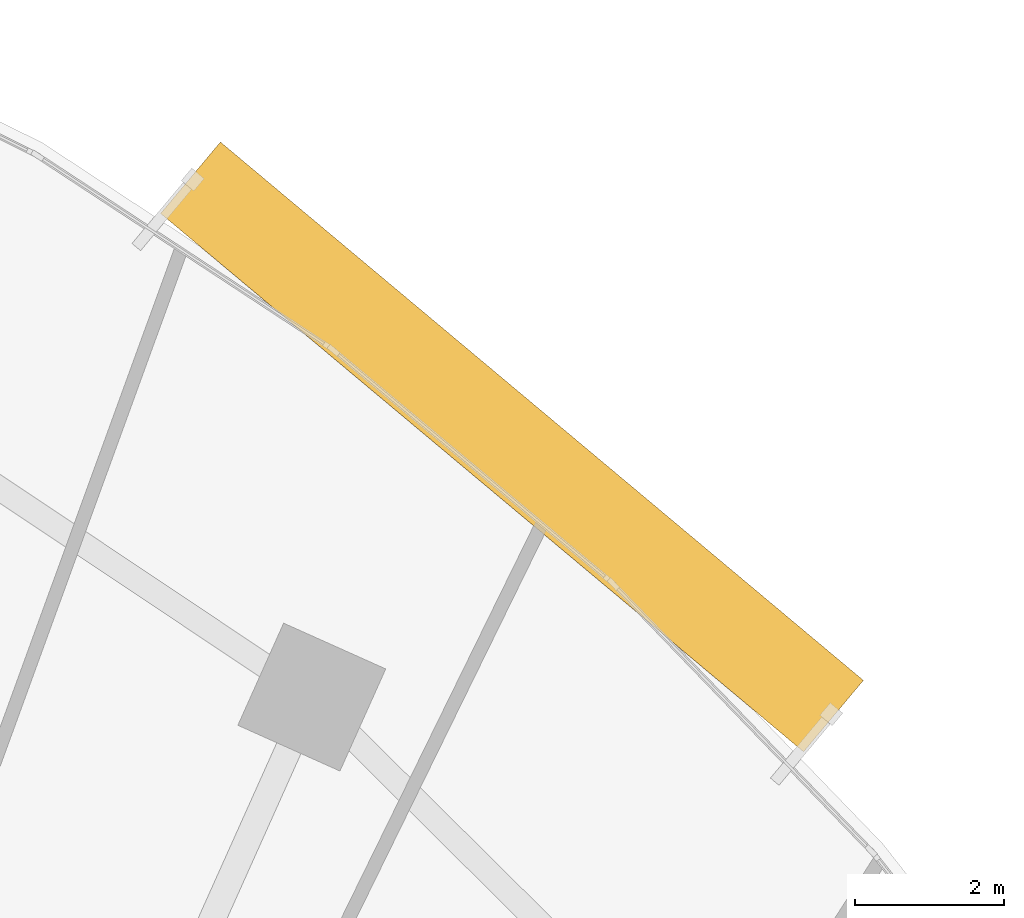
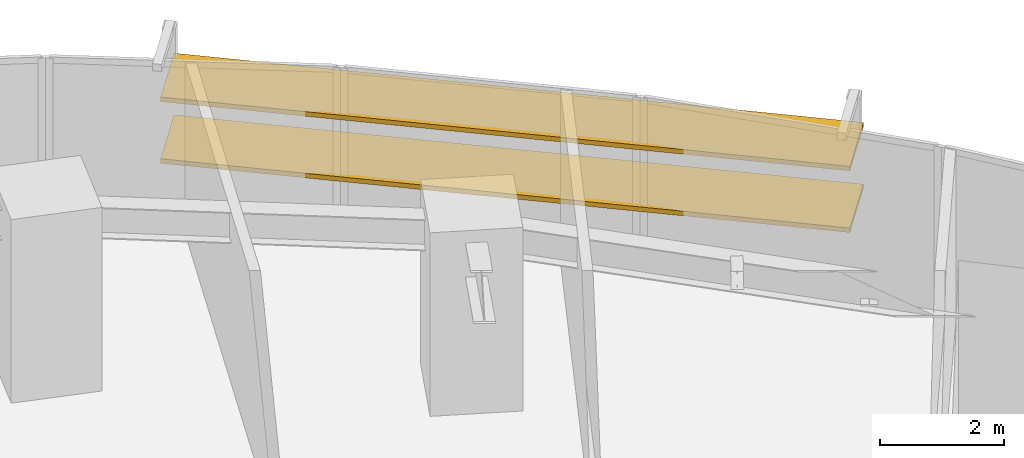
# One storey, part 17 of 17: 2 shading devices.
"""IFC4 building model written with IfcOpenShell, lengths in metres."""

from ifc_helpers import new_model, si_unit, direction, frame, origin, origin_2d, place, context, subcontext, project, spatial, rectangle, extrude, source, transform, mapped, material, material_profile, profile_set, type_object, element, save


model = new_model("IFC4")

# Units and contexts
model_context = context("Model", 3, precision=1e-05, world=origin(), true_north=direction((0.0, 1.0)))
body_context = subcontext(model_context, "Body", "Model", "MODEL_VIEW")
ifc_project = project(units=[si_unit("LENGTHUNIT", "METRE"), si_unit("AREAUNIT", "SQUARE_METRE"), si_unit("VOLUMEUNIT", "CUBIC_METRE"), si_unit("PLANEANGLEUNIT", "RADIAN"), si_unit("MASSUNIT", "GRAM", prefix="KILO")], contexts=[model_context])

# Site, building, storey
site_placement = place(None, origin())
site = spatial("IfcSite", under=ifc_project, at=site_placement, CompositionType="ELEMENT")
building_placement = place(site_placement, origin())
building = spatial("IfcBuilding", under=site, at=building_placement, Name="Breltana Convention Tower", CompositionType="ELEMENT")
storey_placement = place(building_placement, frame((0.0, 0.0, 64.199951171875)))
storey = spatial("IfcBuildingStorey", under=building, at=storey_placement, Name="L14", CompositionType="ELEMENT", Elevation=64.199951171875)

# Shading devices
ifc_material = material(Name="Limestone Warm Buff Honed", Category="masonry")
ifc_material_profile = material_profile(ifc_material, rectangle(XDim=1.25, YDim=0.090087890625, at=origin_2d()), Name="STN-LVR-1250X90")
ifc_profile_set = profile_set([ifc_material_profile], Name="Limestone Warm Buff Honed")
shading_device_type = type_object("IfcShadingDeviceType", Name="SHD-OUTER-SKIN-LIMESTONE-1250", PredefinedType="JALOUSIE", material=ifc_profile_set)
shared_shape = source(origin(), body_context, "Body", "SweptSolid", [
    extrude(rectangle(XDim=1.25, YDim=0.090087890625, at=origin_2d()), origin(), (0.0, 0.0, 1.0), 11.246337890625),
])
for number, where, z_axis, x_axis, name in (
    (1, (67.28369140625, 75.598388671875, 1.209716796875), (0.766719155588, -0.641982660556, 0.0), (0.641982660556, 0.766719155588, 0.0), "L14 outer skin warm limestone louvre 2.1"),
    (2, (67.28369140625, 75.598388671875, 2.419189453125), (0.766719155588, -0.641982660556, 0.0), (0.641982660556, 0.766719155588, 0.0), "L14 outer skin warm limestone louvre 2.2"),
):
    element("IfcShadingDevice", number, at=place(storey_placement, frame(where, z_axis=z_axis, x_axis=x_axis)), inside=storey, type_object=shading_device_type, Name=name, PredefinedType="JALOUSIE", context=body_context, shape_type="MappedRepresentation", body=[
        mapped(shared_shape, transform((0.0, 0.0, 0.0), scale=1.0)),
    ])

save(model, "model.ifc")
